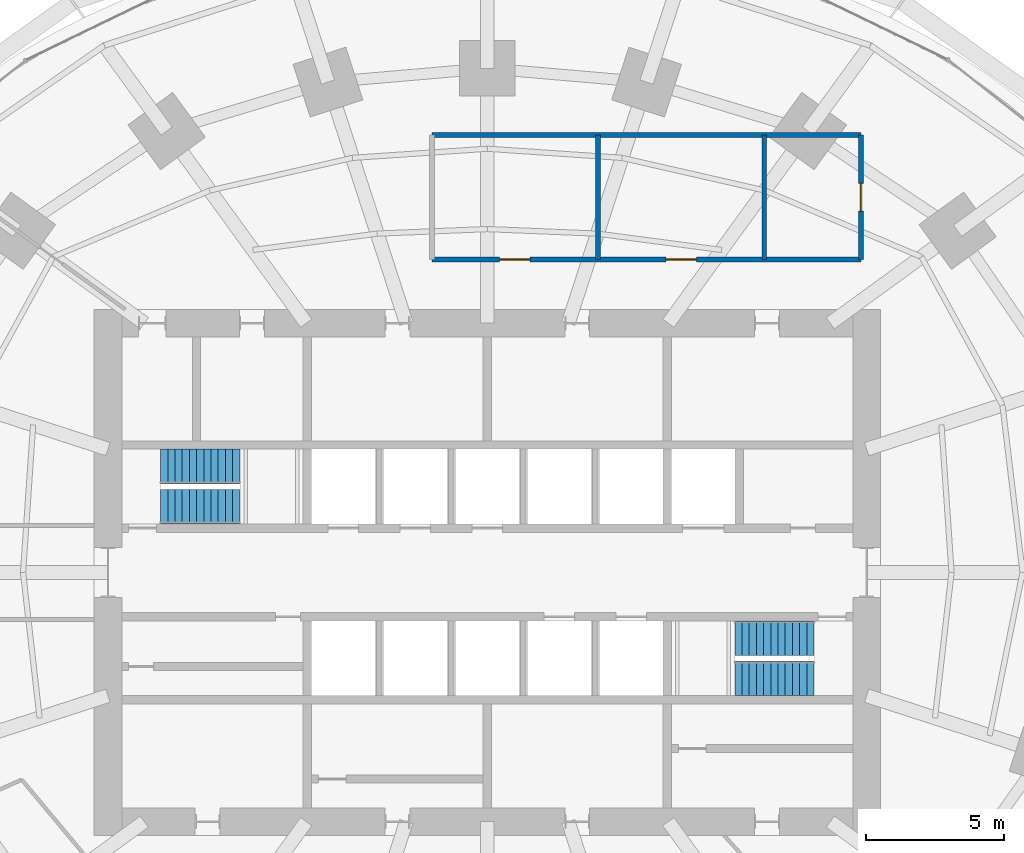
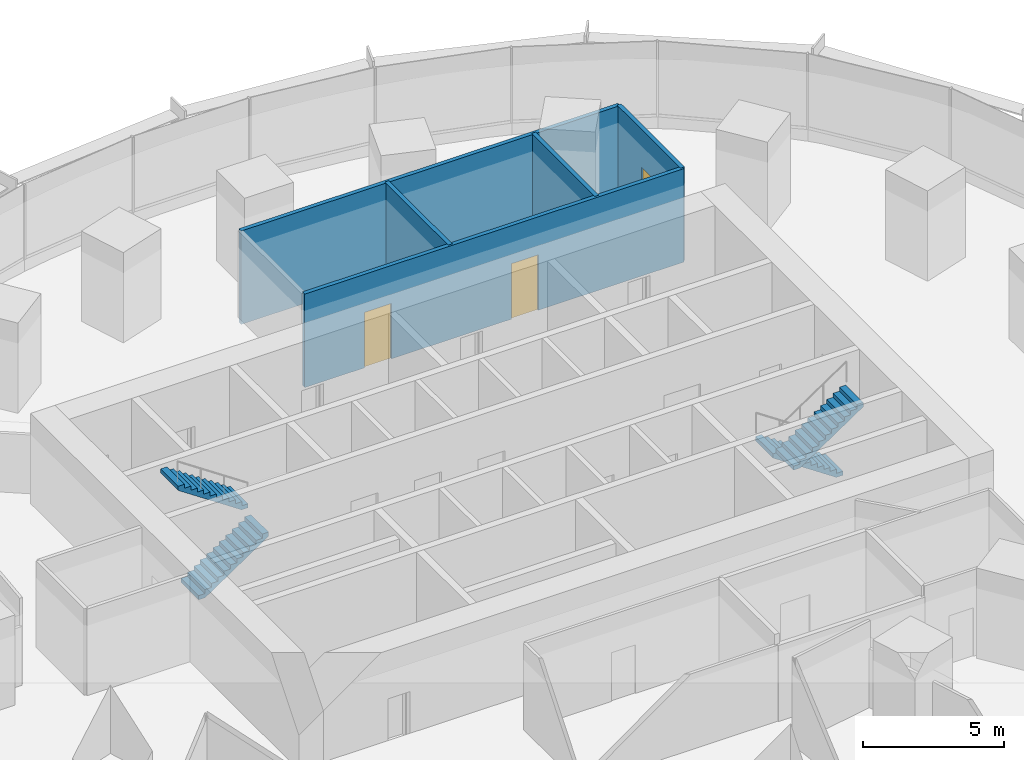
# One storey, part 13 of 15: 5 walls, 4 stair flights, 3 doors, 3 openings, 2 elements without a shape of their own.
"""IFC4 building model written with IfcOpenShell, lengths in metres."""

from ifc_helpers import new_model, si_unit, direction, frame, frame_2d, origin, place, context, subcontext, project, spatial, polyline, rectangle, outline, extrude, material, layer, layer_set, type_object, element, fill, aggregate, save


model = new_model("IFC4")

# Units and contexts
model_context = context("Model", 3, precision=1e-05, world=origin(), true_north=direction((0.0, 1.0)))
body_context = subcontext(model_context, "Body", "Model", "MODEL_VIEW")
ifc_project = project(units=[si_unit("LENGTHUNIT", "METRE"), si_unit("AREAUNIT", "SQUARE_METRE"), si_unit("VOLUMEUNIT", "CUBIC_METRE"), si_unit("PLANEANGLEUNIT", "RADIAN"), si_unit("MASSUNIT", "GRAM", prefix="KILO")], contexts=[model_context])

# Site, building, storey
site_placement = place(None, origin())
site = spatial("IfcSite", under=ifc_project, at=site_placement, CompositionType="ELEMENT")
building_placement = place(site_placement, origin())
building = spatial("IfcBuilding", under=site, at=building_placement, Name="Marramba Exchange Tower", CompositionType="ELEMENT")
storey_placement = place(building_placement, frame((0.0, 0.0, 61.60009765625)))
storey = spatial("IfcBuildingStorey", under=building, at=storey_placement, Name="L14", CompositionType="ELEMENT", Elevation=61.60009765625)

# Wall, opening, door
ifc_material_1 = material(Name="Plasterboard on staggered double steel studs, acoustic insulation", Category="steel")
ifc_layer = layer(ifc_material_1, 0.169921875)
ifc_layer_set = layer_set([ifc_layer], Name="Acoustic partition 170")
wall_type = type_object("IfcWallType", Name="Acoustic partition 170", PredefinedType="PARTITIONING", material=ifc_layer_set)
wall_1_placement = place(storey_placement, frame((13.5, 15.800048828125, 0.0), z_axis=(0.0, 0.0, 1.0), x_axis=(0.0, -1.0, 0.0)))
wall_1 = element("IfcWall", 1, at=wall_1_placement, inside=storey, type_object=wall_type, Name="Acoustic partition L14 24", PredefinedType="PARTITIONING", context=body_context, shape_type="SweptSolid", body=[
    extrude(rectangle(XDim=4.5, YDim=0.169921875, at=frame_2d((2.25, 0.0))), origin(), (0.0, 0.0, 1.0), 4.039794921875),
])
opening_1_placement = place(wall_1_placement, frame((1.75, 0.0, 0.0)))
opening_1 = element("IfcOpeningElement", 2, at=opening_1_placement, cuts=wall_1, Name="Opening D9", PredefinedType="OPENING", context=body_context, shape_type="SweptSolid", body=[
    extrude(rectangle(XDim=1.0, YDim=2.39990234375, at=frame_2d((0.5, 1.199951171875))), frame((0.0, 0.094970703125, 0.0), z_axis=(0.0, -1.0, 0.0), x_axis=(1.0, 0.0, 0.0)), (0.0, 0.0, 1.0), 0.18994140625),
])
ifc_material_2 = material(Name="Timber door", Category="wood")
door_type_1 = type_object("IfcDoorType", Name="Room door 1000x2400", OperationType="SINGLE_SWING_LEFT", PredefinedType="DOOR", material=ifc_material_2)
door_1_placement = place(opening_1_placement, frame((1.0, 0.0, 0.0), z_axis=(0.0, 0.0, 1.0), x_axis=(-1.0, 0.0, 0.0)))
door_1 = element("IfcDoor", 3, at=door_1_placement, inside=storey, type_object=door_type_1, Name="D9 Interview Room L14", OperationType="SINGLE_SWING_RIGHT", OverallHeight=2.39990234375, OverallWidth=1.0, PredefinedType="DOOR", context=body_context, shape_type="SweptSolid", body=[
    extrude(rectangle(XDim=1.0, YDim=2.39990234375, at=frame_2d((0.5, 1.199951171875))), frame((0.0, 0.025146484375, 0.0), z_axis=(0.0, -1.0, 0.0), x_axis=(1.0, 0.0, 0.0)), (0.0, 0.0, 1.0), 0.050048828125),
])
fill(opening_1, door_1)

# Wall
wall_2_placement = place(storey_placement, frame((10.0, 15.800048828125, 0.0), z_axis=(0.0, 0.0, 1.0), x_axis=(0.0, -1.0, 0.0)))
element("IfcWall", 4, at=wall_2_placement, inside=storey, type_object=wall_type, Name="Acoustic partition L14 25", PredefinedType="PARTITIONING", context=body_context, shape_type="SweptSolid", body=[
    extrude(rectangle(XDim=4.5, YDim=0.169921875, at=frame_2d((2.25, 0.0))), origin(), (0.0, 0.0, 1.0), 4.039794921875),
])

# Wall, openings, doors
wall_3_placement = place(storey_placement, frame((13.5, 11.300048828125, 0.0), z_axis=(0.0, 0.0, 1.0), x_axis=(-1.0, 0.0, 0.0)))
wall_3 = element("IfcWall", 5, at=wall_3_placement, inside=storey, type_object=wall_type, Name="Acoustic partition L14 26", PredefinedType="PARTITIONING", context=body_context, shape_type="SweptSolid", body=[
    extrude(rectangle(XDim=15.5, YDim=0.169921875, at=frame_2d((7.75, 0.0))), origin(), (0.0, 0.0, 1.0), 4.039794921875),
])
opening_2_placement = place(wall_3_placement, frame((11.949951171875, 0.0, 0.0)))
opening_2 = element("IfcOpeningElement", 6, at=opening_2_placement, cuts=wall_3, Name="Opening D15", PredefinedType="OPENING", context=body_context, shape_type="SweptSolid", body=[
    extrude(rectangle(XDim=1.10009765625, YDim=2.39990234375, at=frame_2d((0.550048828125, 1.199951171875))), frame((0.0, 0.094970703125, 0.0), z_axis=(0.0, -1.0, 0.0), x_axis=(1.0, 0.0, 0.0)), (0.0, 0.0, 1.0), 0.18994140625),
])
opening_3_placement = place(wall_3_placement, frame((5.949951171875, 0.0, 0.0)))
opening_3 = element("IfcOpeningElement", 7, at=opening_3_placement, cuts=wall_3, Name="Opening D15", PredefinedType="OPENING", context=body_context, shape_type="SweptSolid", body=[
    extrude(rectangle(XDim=1.10009765625, YDim=2.39990234375, at=frame_2d((0.550048828125, 1.199951171875))), frame((0.0, 0.094970703125, 0.0), z_axis=(0.0, -1.0, 0.0), x_axis=(1.0, 0.0, 0.0)), (0.0, 0.0, 1.0), 0.18994140625),
])
door_type_2 = type_object("IfcDoorType", Name="Glazed meeting room door 1100x2400", OperationType="SINGLE_SWING_LEFT", PredefinedType="DOOR", material=ifc_material_2)
door_2_placement = place(opening_2_placement, frame((1.10009765625, 0.0, 0.0), z_axis=(0.0, 0.0, 1.0), x_axis=(-1.0, 0.0, 0.0)))
door_2 = element("IfcDoor", 8, at=door_2_placement, inside=storey, type_object=door_type_2, Name="D15 Meeting Room 1 L14", OperationType="SINGLE_SWING_RIGHT", OverallHeight=2.39990234375, OverallWidth=1.10009765625, PredefinedType="DOOR", context=body_context, shape_type="SweptSolid", body=[
    extrude(rectangle(XDim=1.10009765625, YDim=2.39990234375, at=frame_2d((0.550048828125, 1.199951171875))), frame((0.0, 0.025146484375, 0.0), z_axis=(0.0, -1.0, 0.0), x_axis=(1.0, 0.0, 0.0)), (0.0, 0.0, 1.0), 0.050048828125),
])
fill(opening_2, door_2)
door_3_placement = place(opening_3_placement, frame((1.10009765625, 0.0, 0.0), z_axis=(0.0, 0.0, 1.0), x_axis=(-1.0, 0.0, 0.0)))
door_3 = element("IfcDoor", 9, at=door_3_placement, inside=storey, type_object=door_type_2, Name="D15 Meeting Room 2 L14", OperationType="SINGLE_SWING_RIGHT", OverallHeight=2.39990234375, OverallWidth=1.10009765625, PredefinedType="DOOR", context=body_context, shape_type="SweptSolid", body=[
    extrude(rectangle(XDim=1.10009765625, YDim=2.39990234375, at=frame_2d((0.550048828125, 1.199951171875))), frame((0.0, 0.025146484375, 0.0), z_axis=(0.0, -1.0, 0.0), x_axis=(1.0, 0.0, 0.0)), (0.0, 0.0, 1.0), 0.050048828125),
])
fill(opening_3, door_3)

# Walls
wall_4_placement = place(storey_placement, frame((-2.0, 15.800048828125, 0.0), z_axis=(0.0, 0.0, 1.0), x_axis=(1.0, 0.0, 0.0)))
element("IfcWall", 10, at=wall_4_placement, inside=storey, type_object=wall_type, Name="Acoustic partition L14 27", PredefinedType="PARTITIONING", context=body_context, shape_type="SweptSolid", body=[
    extrude(rectangle(XDim=15.5, YDim=0.169921875, at=frame_2d((7.75, 0.0))), origin(), (0.0, 0.0, 1.0), 4.039794921875),
])
wall_5_placement = place(storey_placement, frame((4.0, 15.800048828125, 0.0), z_axis=(0.0, 0.0, 1.0), x_axis=(0.0, -1.0, 0.0)))
element("IfcWall", 11, at=wall_5_placement, inside=storey, type_object=wall_type, Name="Acoustic partition L14 28", PredefinedType="PARTITIONING", context=body_context, shape_type="SweptSolid", body=[
    extrude(rectangle(XDim=4.5, YDim=0.169921875, at=frame_2d((2.25, 0.0))), origin(), (0.0, 0.0, 1.0), 4.039794921875),
])

# Stair, stair flights
ifc_material_3 = material(Name="Concrete N40 (40 MPa)", Category="concrete")
stair_type_1 = type_object("IfcStairType", Name="Exit stair ST1 4200 x 1250", PredefinedType="HALF_TURN_STAIR", material=ifc_material_3)
stair_1_placement = place(storey_placement, origin())
stair_1 = element("IfcStair", 12, at=stair_1_placement, inside=storey, type_object=stair_type_1, Name="Exit stair ST1 L14", PredefinedType="HALF_TURN_STAIR")
stair_flight_type_1 = type_object("IfcStairFlightType", Name="ST1 stair flight 1750 riser 1250 wide", PredefinedType="STRAIGHT", material=ifc_material_3)
stair_flight_1_placement = place(storey_placement, frame((-11.800048828125, 2.375, 0.0), z_axis=(0.0, 0.0, 1.0), x_axis=(1.0, 0.0, 0.0)))
stair_flight_1 = element("IfcStairFlight", 13, at=stair_flight_1_placement, type_object=stair_flight_type_1, Name="ST1 flight 1", NumberOfRisers=12, NumberOfTreads=11, PredefinedType="STRAIGHT", RiserHeight=0.175, TreadLength=0.26, context=body_context, shape_type="SweptSolid", body=[
    extrude(outline(polyline([(0.0, 0.0), (0.0, 0.175048828125), (0.260009765625, 0.175048828125), (0.260009765625, 0.35009765625), (0.52001953125, 0.35009765625), (0.52001953125, 0.52490234375), (0.780029296875, 0.52490234375), (0.780029296875, 0.699951171875), (1.0400390625, 0.699951171875), (1.0400390625, 0.875), (1.300048828125, 0.875), (1.300048828125, 1.050048828125), (1.56005859375, 1.050048828125), (1.56005859375, 1.22509765625), (1.820068359375, 1.22509765625), (1.820068359375, 1.39990234375), (2.080078125, 1.39990234375), (2.080078125, 1.574951171875), (2.340087890625, 1.574951171875), (2.340087890625, 1.75), (2.60009765625, 1.75), (2.60009765625, 1.925048828125), (2.860107421875, 1.925048828125), (2.860107421875, 2.10009765625), (2.860107421875, 1.744384765625), (0.2685546875, 0.0), (0.0, 0.0)])), frame((0.0, 0.625, 0.0), z_axis=(0.0, -1.0, 0.0), x_axis=(1.0, 0.0, 0.0)), (0.0, 0.0, 1.0), 1.25),
])
stair_flight_2_placement = place(storey_placement, frame((-8.93994140625, 3.824951171875, 2.099853515625), z_axis=(0.0, 0.0, 1.0), x_axis=(-1.0, 0.0, 0.0)))
stair_flight_2 = element("IfcStairFlight", 14, at=stair_flight_2_placement, type_object=stair_flight_type_1, Name="ST1 flight 2", NumberOfRisers=12, NumberOfTreads=11, PredefinedType="STRAIGHT", RiserHeight=0.175, TreadLength=0.26, context=body_context, shape_type="SweptSolid", body=[
    extrude(outline(polyline([(0.0, 0.0), (0.0, 0.175048828125), (0.260009765625, 0.175048828125), (0.260009765625, 0.35009765625), (0.52001953125, 0.35009765625), (0.52001953125, 0.52490234375), (0.780029296875, 0.52490234375), (0.780029296875, 0.699951171875), (1.0400390625, 0.699951171875), (1.0400390625, 0.875), (1.300048828125, 0.875), (1.300048828125, 1.050048828125), (1.56005859375, 1.050048828125), (1.56005859375, 1.22509765625), (1.820068359375, 1.22509765625), (1.820068359375, 1.39990234375), (2.080078125, 1.39990234375), (2.080078125, 1.574951171875), (2.340087890625, 1.574951171875), (2.340087890625, 1.75), (2.60009765625, 1.75), (2.60009765625, 1.925048828125), (2.860107421875, 1.925048828125), (2.860107421875, 2.10009765625), (2.860107421875, 1.744384765625), (0.2685546875, 0.0), (0.0, 0.0)])), frame((0.0, 0.625, 0.0), z_axis=(0.0, -1.0, 0.0), x_axis=(1.0, 0.0, 0.0)), (0.0, 0.0, 1.0), 1.25),
])
aggregate(stair_1, [stair_flight_1, stair_flight_2])

stair_type_2 = type_object("IfcStairType", Name="Exit stair ST2 4200 x 1250", PredefinedType="HALF_TURN_STAIR", material=ifc_material_3)
stair_2_placement = place(storey_placement, origin())
stair_2 = element("IfcStair", 15, at=stair_2_placement, inside=storey, type_object=stair_type_2, Name="Exit stair ST2 L14", PredefinedType="HALF_TURN_STAIR")
stair_flight_type_2 = type_object("IfcStairFlightType", Name="ST2 stair flight 1750 riser 1250 wide", PredefinedType="STRAIGHT", material=ifc_material_3)
stair_flight_3_placement = place(storey_placement, frame((11.800048828125, -2.375, 0.0), z_axis=(0.0, 0.0, 1.0), x_axis=(-1.0, 0.0, 0.0)))
stair_flight_3 = element("IfcStairFlight", 16, at=stair_flight_3_placement, type_object=stair_flight_type_2, Name="ST2 flight 1", NumberOfRisers=12, NumberOfTreads=11, PredefinedType="STRAIGHT", RiserHeight=0.175, TreadLength=0.26, context=body_context, shape_type="SweptSolid", body=[
    extrude(outline(polyline([(0.0, 0.0), (0.0, 0.175048828125), (0.260009765625, 0.175048828125), (0.260009765625, 0.35009765625), (0.52001953125, 0.35009765625), (0.52001953125, 0.52490234375), (0.780029296875, 0.52490234375), (0.780029296875, 0.699951171875), (1.0400390625, 0.699951171875), (1.0400390625, 0.875), (1.300048828125, 0.875), (1.300048828125, 1.050048828125), (1.56005859375, 1.050048828125), (1.56005859375, 1.22509765625), (1.820068359375, 1.22509765625), (1.820068359375, 1.39990234375), (2.080078125, 1.39990234375), (2.080078125, 1.574951171875), (2.340087890625, 1.574951171875), (2.340087890625, 1.75), (2.60009765625, 1.75), (2.60009765625, 1.925048828125), (2.860107421875, 1.925048828125), (2.860107421875, 2.10009765625), (2.860107421875, 1.744384765625), (0.2685546875, 0.0), (0.0, 0.0)])), frame((0.0, 0.625, 0.0), z_axis=(0.0, -1.0, 0.0), x_axis=(1.0, 0.0, 0.0)), (0.0, 0.0, 1.0), 1.25),
])
stair_flight_4_placement = place(storey_placement, frame((8.93994140625, -3.824951171875, 2.099853515625), z_axis=(0.0, 0.0, 1.0), x_axis=(1.0, 0.0, 0.0)))
stair_flight_4 = element("IfcStairFlight", 17, at=stair_flight_4_placement, type_object=stair_flight_type_2, Name="ST2 flight 2", NumberOfRisers=12, NumberOfTreads=11, PredefinedType="STRAIGHT", RiserHeight=0.175, TreadLength=0.26, context=body_context, shape_type="SweptSolid", body=[
    extrude(outline(polyline([(0.0, 0.0), (0.0, 0.175048828125), (0.260009765625, 0.175048828125), (0.260009765625, 0.35009765625), (0.52001953125, 0.35009765625), (0.52001953125, 0.52490234375), (0.780029296875, 0.52490234375), (0.780029296875, 0.699951171875), (1.0400390625, 0.699951171875), (1.0400390625, 0.875), (1.300048828125, 0.875), (1.300048828125, 1.050048828125), (1.56005859375, 1.050048828125), (1.56005859375, 1.22509765625), (1.820068359375, 1.22509765625), (1.820068359375, 1.39990234375), (2.080078125, 1.39990234375), (2.080078125, 1.574951171875), (2.340087890625, 1.574951171875), (2.340087890625, 1.75), (2.60009765625, 1.75), (2.60009765625, 1.925048828125), (2.860107421875, 1.925048828125), (2.860107421875, 2.10009765625), (2.860107421875, 1.744384765625), (0.2685546875, 0.0), (0.0, 0.0)])), frame((0.0, 0.625, 0.0), z_axis=(0.0, -1.0, 0.0), x_axis=(1.0, 0.0, 0.0)), (0.0, 0.0, 1.0), 1.25),
])
aggregate(stair_2, [stair_flight_3, stair_flight_4])

save(model, "model.ifc")
